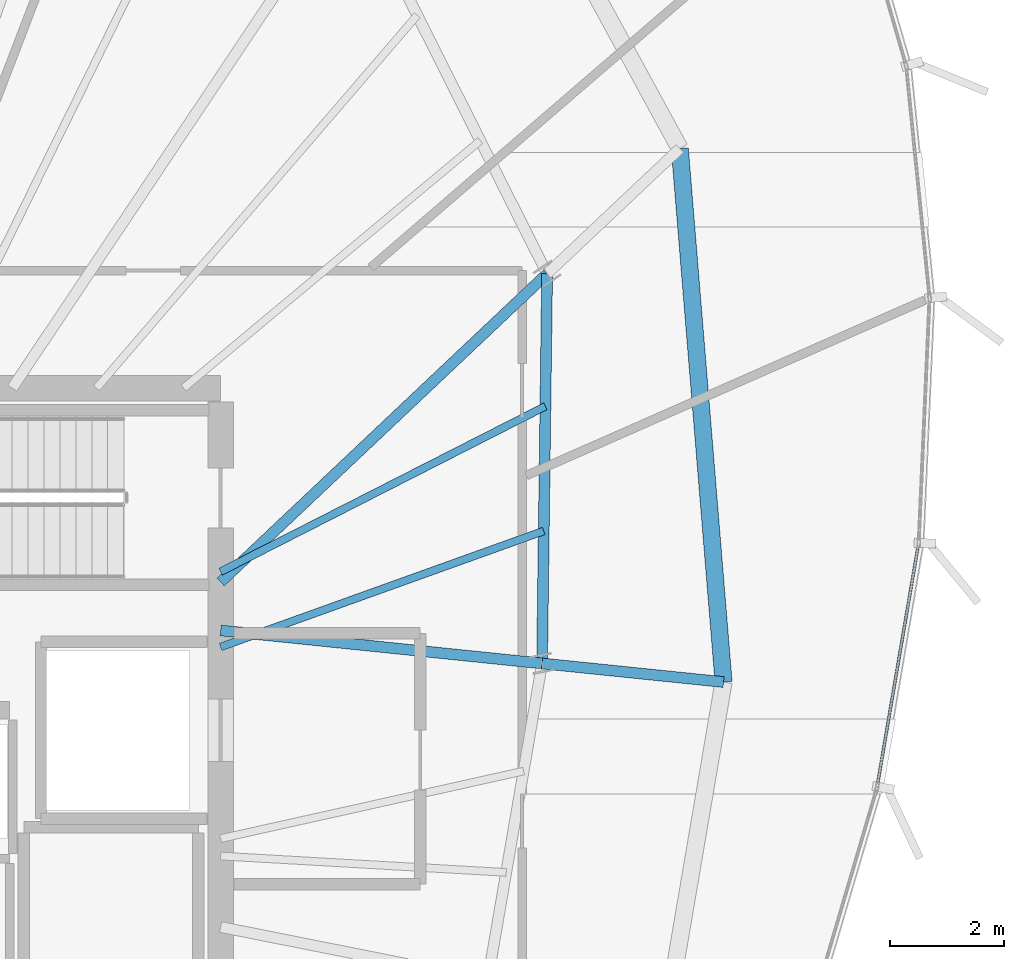
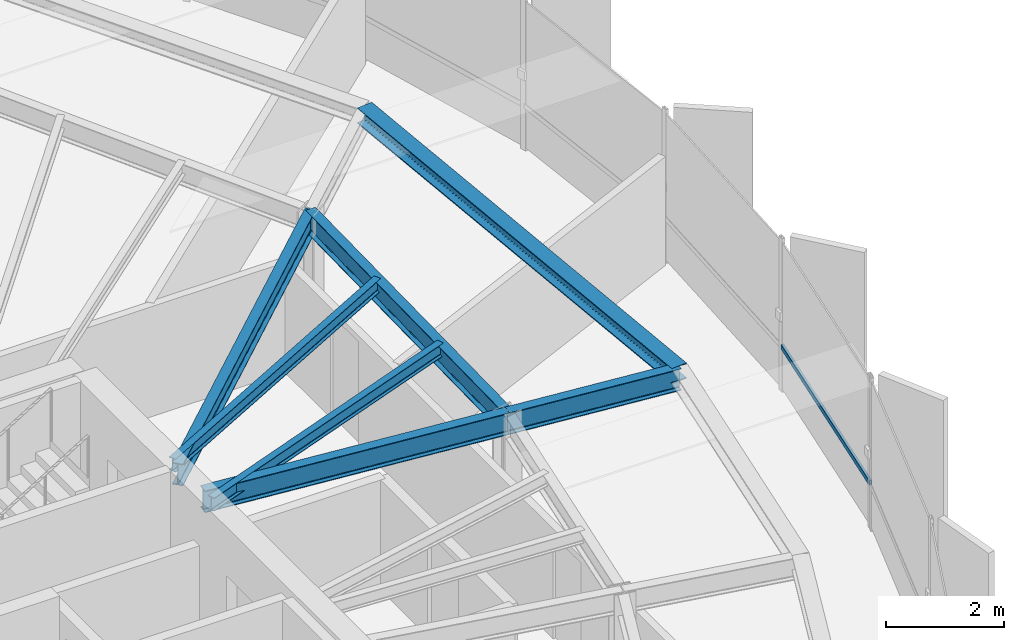
# One storey, part 16 of 33: 7 beams, 1 member, 1 element without a shape of its own.
"""IFC4 building model written with IfcOpenShell, lengths in metres."""

from ifc_helpers import new_model, si_unit, direction, frame, origin, origin_2d, place, context, subcontext, project, spatial, hollow_rectangle, i_section, extrude, source, transform, mapped, material, layer, layer_set, material_profile, profile_set, type_object, element, aggregate, save


model = new_model("IFC4")

# Units and contexts
model_context = context("Model", 3, precision=1e-05, world=origin(), true_north=direction((0.0, 1.0)))
body_context = subcontext(model_context, "Body", "Model", "MODEL_VIEW")
ifc_project = project(units=[si_unit("LENGTHUNIT", "METRE"), si_unit("AREAUNIT", "SQUARE_METRE"), si_unit("VOLUMEUNIT", "CUBIC_METRE"), si_unit("PLANEANGLEUNIT", "RADIAN"), si_unit("MASSUNIT", "GRAM", prefix="KILO"), si_unit("THERMODYNAMICTEMPERATUREUNIT", "KELVIN")], contexts=[model_context])

# Site, building, storey
site_placement = place(None, origin())
site = spatial("IfcSite", under=ifc_project, at=site_placement, CompositionType="ELEMENT")
building_placement = place(site_placement, origin())
building = spatial("IfcBuilding", under=site, at=building_placement, Name="Kethvar Cultural Tower", CompositionType="ELEMENT")
storey_placement = place(building_placement, frame((0.0, 0.0, 256.0)))
storey = spatial("IfcBuildingStorey", under=building, at=storey_placement, Name="L67", CompositionType="ELEMENT", Elevation=256.0)

# Beams
ifc_material_1 = material(Name="Steel S355J2", Category="steel")
ifc_material_profile_1 = material_profile(ifc_material_1, i_section(OverallWidth=0.18994140625, OverallDepth=0.449951171875, WebThickness=0.009521484375, FlangeThickness=0.0146484375, FilletRadius=0.02099609375, at=origin_2d()), Name="Steel S355J2 — IPE450")
ifc_profile_set_1 = profile_set([ifc_material_profile_1], Name="Steel S355J2 — IPE450")
beam_type_1 = type_object("IfcBeamType", Name="BM-IPE450", PredefinedType="BEAM", material=ifc_profile_set_1)
shared_shape_1 = source(origin(), body_context, "Body", "SweptSolid", [
    extrude(i_section(OverallWidth=0.18994140625, OverallDepth=0.449951171875, WebThickness=0.009521484375, FlangeThickness=0.0146484375, FilletRadius=0.02099609375, at=origin_2d()), origin(), (0.0, 0.0, 1.0), 5.66650390625),
])
beam_1_placement = place(storey_placement, frame((55.60009765625, 31.25, 2.98291015625), z_axis=(0.994777513459, -0.102067128476, 0.0), x_axis=(0.102067128476, 0.994777513459, 0.0)))
element("IfcBeam", 1, at=beam_1_placement, inside=storey, type_object=beam_type_1, Name="L67 Primary Radial Beam RB-01", PredefinedType="BEAM", context=body_context, shape_type="MappedRepresentation", body=[
    mapped(shared_shape_1, transform((0.0, 0.0, 0.0), scale=1.0)),
])
shared_shape_2 = source(origin(), body_context, "Body", "SweptSolid", [
    extrude(i_section(OverallWidth=0.18994140625, OverallDepth=0.449951171875, WebThickness=0.009521484375, FlangeThickness=0.0146484375, FilletRadius=0.02099609375, at=origin_2d()), origin(), (0.0, 0.0, 1.0), 3.199951171875),
])
beam_2_placement = place(storey_placement, frame((61.237060546875, 30.671630859375, 2.98291015625), z_axis=(0.994784019447, -0.10200369921, 0.0), x_axis=(0.10200369921, 0.994784019447, 0.0)))
element("IfcBeam", 2, at=beam_2_placement, inside=storey, type_object=beam_type_1, Name="L67 Perimeter Cantilever Beam RC-01", PredefinedType="BEAM", context=body_context, shape_type="MappedRepresentation", body=[
    mapped(shared_shape_2, transform((0.0, 0.0, 0.0), scale=1.0)),
])
shared_shape_3 = source(origin(), body_context, "Body", "SweptSolid", [
    extrude(i_section(OverallWidth=0.18994140625, OverallDepth=0.449951171875, WebThickness=0.009521484375, FlangeThickness=0.0146484375, FilletRadius=0.02099609375, at=origin_2d()), origin(), (0.0, 0.0, 1.0), 7.874267578125),
])
beam_3_placement = place(storey_placement, frame((55.60009765625, 32.10009765625, 2.98291015625), z_axis=(0.727123202456, 0.686506990823, 0.0), x_axis=(-0.686506990823, 0.727123202456, 0.0)))
element("IfcBeam", 3, at=beam_3_placement, inside=storey, type_object=beam_type_1, Name="L67 Primary Radial Beam RB-02", PredefinedType="BEAM", context=body_context, shape_type="MappedRepresentation", body=[
    mapped(shared_shape_3, transform((0.0, 0.0, 0.0), scale=1.0)),
])
shared_shape_4 = source(origin(), body_context, "Body", "SweptSolid", [
    extrude(i_section(OverallWidth=0.18994140625, OverallDepth=0.449951171875, WebThickness=0.009521484375, FlangeThickness=0.0146484375, FilletRadius=0.02099609375, at=origin_2d()), origin(), (0.0, 0.0, 1.0), 6.834716796875),
])
beam_4_placement = place(storey_placement, frame((61.237060546875, 30.671630859375, 2.98291015625), z_axis=(0.012966437445, 0.999915932216, 0.0), x_axis=(-0.999915932216, 0.012966437445, 0.0)))
element("IfcBeam", 4, at=beam_4_placement, inside=storey, type_object=beam_type_1, Name="L67 Column Ring Tie Beam CR-01", PredefinedType="BEAM", context=body_context, shape_type="MappedRepresentation", body=[
    mapped(shared_shape_4, transform((0.0, 0.0, 0.0), scale=1.0)),
])
ifc_material_profile_2 = material_profile(ifc_material_1, i_section(OverallWidth=0.300048828125, OverallDepth=0.320068359375, WebThickness=0.011474609375, FlangeThickness=0.0205078125, FilletRadius=0.027099609375, at=origin_2d()), Name="Steel S355J2 — HEB320")
ifc_profile_set_2 = profile_set([ifc_material_profile_2], Name="Steel S355J2 — HEB320")
beam_type_2 = type_object("IfcBeamType", Name="BM-SP320", PredefinedType="SPANDREL", material=ifc_profile_set_2)
shared_shape_5 = source(origin(), body_context, "Body", "SweptSolid", [
    extrude(i_section(OverallWidth=0.300048828125, OverallDepth=0.320068359375, WebThickness=0.011474609375, FlangeThickness=0.0205078125, FilletRadius=0.027099609375, at=origin_2d()), origin(), (0.0, 0.0, 1.0), 9.388916015625),
])
beam_5_placement = place(storey_placement, frame((64.42041015625, 30.34521484375, 3.048095703125), z_axis=(-0.08178004371, 0.996650402323, 0.0), x_axis=(-0.996650402323, -0.08178004371, 0.0)))
element("IfcBeam", 5, at=beam_5_placement, inside=storey, type_object=beam_type_2, Name="L67 Perimeter Spandrel Beam SP-01", PredefinedType="SPANDREL", context=body_context, shape_type="MappedRepresentation", body=[
    mapped(shared_shape_5, transform((0.0, 0.0, 0.0), scale=1.0)),
])
ifc_material_profile_3 = material_profile(ifc_material_1, i_section(OverallWidth=0.135009765625, OverallDepth=0.27001953125, WebThickness=0.006591796875, FlangeThickness=0.01025390625, FilletRadius=0.014892578125, at=origin_2d()), Name="Steel S355J2 — IPE270")
ifc_profile_set_3 = profile_set([ifc_material_profile_3], Name="Steel S355J2 — IPE270")
beam_type_3 = type_object("IfcBeamType", Name="BM-J270", PredefinedType="JOIST", material=ifc_profile_set_3)
shared_shape_6 = source(origin(), body_context, "Body", "SweptSolid", [
    extrude(i_section(OverallWidth=0.135009765625, OverallDepth=0.27001953125, WebThickness=0.006591796875, FlangeThickness=0.01025390625, FilletRadius=0.014892578125, at=origin_2d()), origin(), (0.0, 0.0, 1.0), 6.021240234375),
])
beam_6_placement = place(storey_placement, frame((55.60009765625, 30.960205078125, 3.072998046875), z_axis=(0.94114970072, 0.337990001086, 0.0), x_axis=(-0.337990001086, 0.94114970072, 0.0)))
element("IfcBeam", 6, at=beam_6_placement, inside=storey, type_object=beam_type_3, Name="L67 Composite Floor Joist J-01A", PredefinedType="JOIST", context=body_context, shape_type="MappedRepresentation", body=[
    mapped(shared_shape_6, transform((0.0, 0.0, 0.0), scale=1.0)),
])
shared_shape_7 = source(origin(), body_context, "Body", "SweptSolid", [
    extrude(i_section(OverallWidth=0.135009765625, OverallDepth=0.27001953125, WebThickness=0.006591796875, FlangeThickness=0.01025390625, FilletRadius=0.014892578125, at=origin_2d()), origin(), (0.0, 0.0, 1.0), 6.3916015625),
])
beam_7_placement = place(storey_placement, frame((55.60009765625, 32.281494140625, 3.072998046875), z_axis=(0.891094874615, 0.453817060538, 0.0), x_axis=(-0.453817060538, 0.891094874615, 0.0)))
element("IfcBeam", 7, at=beam_7_placement, inside=storey, type_object=beam_type_3, Name="L67 Composite Floor Joist J-01B", PredefinedType="JOIST", context=body_context, shape_type="MappedRepresentation", body=[
    mapped(shared_shape_7, transform((0.0, 0.0, 0.0), scale=1.0)),
])

# Curtain wall, member
ifc_material_2 = material(Name="Aluminium 6063-T6", Category="aluminium")
ifc_layer = layer(ifc_material_2, 0.179931640625, Name="Aluminium 6063-T6", Category="aluminium")
ifc_layer_set = layer_set([ifc_layer], Name="Aluminium 6063-T6 (180 mm)")
curtain_wall_type = type_object("IfcCurtainWallType", Name="CW-SYS-05-Z56", PredefinedType="NOTDEFINED", material=ifc_layer_set)
curtain_wall_placement = place(storey_placement, origin())
curtain_wall = element("IfcCurtainWall", 8, at=curtain_wall_placement, inside=storey, type_object=curtain_wall_type, Name="L67 Curtain Wall Run 06", PredefinedType="NOTDEFINED")
ifc_material_profile_4 = material_profile(ifc_material_2, hollow_rectangle(XDim=0.050048828125, YDim=0.10009765625, WallThickness=0.00390625, at=origin_2d()), Name="Aluminium 6063-T6 — RHS100x50x4")
ifc_profile_set_4 = profile_set([ifc_material_profile_4], Name="Aluminium 6063-T6 — RHS100x50x4")
member_type = type_object("IfcMemberType", Name="CW-SYS-05-Z56-TRN", PredefinedType="USERDEFINED", material=ifc_profile_set_4)
shared_shape_8 = source(origin(), body_context, "Body", "SweptSolid", [
    extrude(hollow_rectangle(XDim=0.050048828125, YDim=0.10009765625, WallThickness=0.00390625, at=origin_2d()), origin(), (0.0, 0.0, 1.0), 4.307861328125),
])
member_placement = place(storey_placement, frame((67.11376953125, 28.51171875, 0.949951171875), z_axis=(0.167927082846, 0.985799419176, 0.0), x_axis=(-0.985799419176, 0.167927082846, 0.0)))
member = element("IfcMember", 9, at=member_placement, type_object=member_type, Name="CW-L67-R06 Transom 1", ObjectType="TRANSOM", PredefinedType="USERDEFINED", context=body_context, shape_type="MappedRepresentation", body=[
    mapped(shared_shape_8, transform((0.0, 0.0, 0.0), scale=1.0)),
])
aggregate(curtain_wall, [member])

save(model, "model.ifc")
